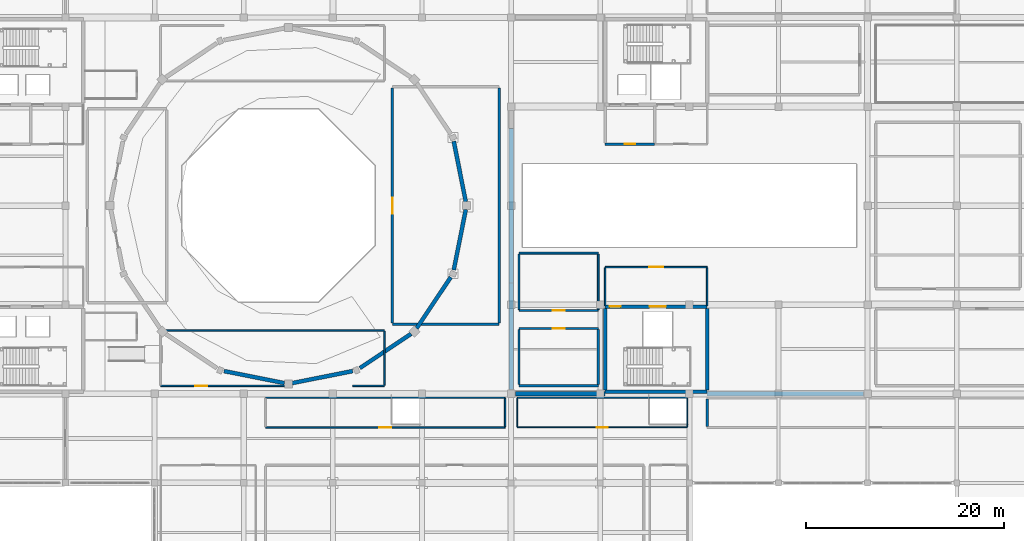
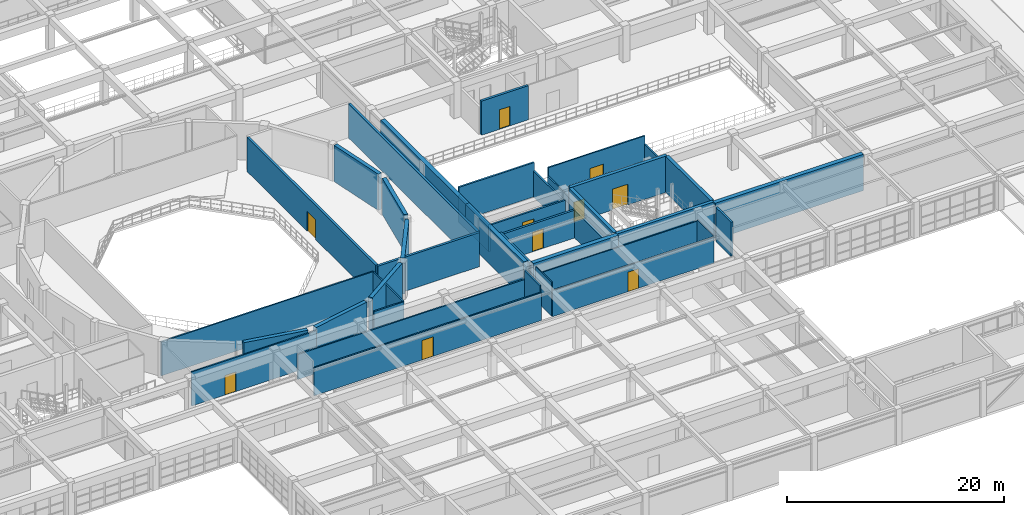
# One storey, part 111 of 130: 41 walls, 10 doors, 10 openings.
"""IFC4 building model written with IfcOpenShell, lengths in metres."""

from ifc_helpers import new_model, si_unit, direction, frame, frame_2d, origin, place, context, subcontext, project, spatial, rectangle, extrude, material, layer, layer_set, type_object, element, fill, save


model = new_model("IFC4")

# Units and contexts
model_context = context("Model", 3, precision=1e-05, world=origin(), true_north=direction((0.0, 1.0)))
body_context = subcontext(model_context, "Body", "Model", "MODEL_VIEW")
ifc_project = project(units=[si_unit("LENGTHUNIT", "METRE"), si_unit("AREAUNIT", "SQUARE_METRE"), si_unit("VOLUMEUNIT", "CUBIC_METRE"), si_unit("PLANEANGLEUNIT", "RADIAN"), si_unit("MASSUNIT", "GRAM", prefix="KILO")], contexts=[model_context])

# Site, building, storey
site_placement = place(None, origin())
site = spatial("IfcSite", under=ifc_project, at=site_placement, CompositionType="ELEMENT")
building_placement = place(site_placement, origin())
building = spatial("IfcBuilding", under=site, at=building_placement, Name="Miravela Opera House", CompositionType="ELEMENT")
storey_placement = place(building_placement, frame((0.0, 0.0, 9.52001953125)))
storey = spatial("IfcBuildingStorey", under=building, at=storey_placement, Name="L02", CompositionType="ELEMENT", Elevation=9.52001953125)

# Wall, opening, door
ifc_material_1 = material(Name="Double-layer acoustic gypsum partition")
ifc_layer_1 = layer(ifc_material_1, 0.110107421875)
ifc_layer_set_1 = layer_set([ifc_layer_1])
wall_type_1 = type_object("IfcWallType", Name="ARC-PT-110", PredefinedType="PARTITIONING", material=ifc_layer_set_1)
wall_1_placement = place(storey_placement, frame((99.60009765625, 33.60009765625, 0.0), z_axis=(0.0, 0.0, 1.0), x_axis=(1.0, 0.0, 0.0)))
wall_1 = element("IfcWall", 1, at=wall_1_placement, inside=storey, type_object=wall_type_1, Name="Operatic Diction and Language Studio Partition South", PredefinedType="PARTITIONING", context=body_context, shape_type="SweptSolid", body=[
    extrude(rectangle(XDim=17.199951171875, YDim=0.110107421875, at=frame_2d((8.60009765625, 0.0))), origin(), (0.0, 0.0, 1.0), 2.93994140625),
])
opening_1_placement = place(wall_1_placement, frame((8.050048828125, 0.0, 0.0)))
opening_1 = element("IfcOpeningElement", 2, at=opening_1_placement, cuts=wall_1, Name="Opening ID-03", PredefinedType="OPENING", context=body_context, shape_type="SweptSolid", body=[
    extrude(rectangle(XDim=1.10009765625, YDim=2.199951171875, at=frame_2d((0.550048828125, 1.10009765625))), frame((0.0, 0.06494140625, 0.0), z_axis=(0.0, -1.0, 0.0), x_axis=(1.0, 0.0, 0.0)), (0.0, 0.0, 1.0), 0.130126953125),
])
ifc_material_2 = material(Name="Acoustic hardwood studio door", Category="wood")
door_type_1 = type_object("IfcDoorType", Name="ARC-DR-1100X2200", OperationType="NOTDEFINED", PredefinedType="DOOR", material=ifc_material_2)
door_1_placement = place(opening_1_placement, frame((1.10009765625, 0.0, 0.0), z_axis=(0.0, 0.0, 1.0), x_axis=(-1.0, 0.0, 0.0)))
door_1 = element("IfcDoor", 3, at=door_1_placement, inside=storey, type_object=door_type_1, Name="Operatic Diction and Language Studio Entry Door IDR-L02-0255", OperationType="SINGLE_SWING_LEFT", OverallHeight=2.199951171875, OverallWidth=1.10009765625, PredefinedType="DOOR", context=body_context, shape_type="SweptSolid", body=[
    extrude(rectangle(XDim=1.10009765625, YDim=2.199951171875, at=frame_2d((0.550048828125, 1.10009765625))), frame((0.0, 0.02490234375, 0.0), z_axis=(0.0, -1.0, 0.0), x_axis=(1.0, 0.0, 0.0)), (0.0, 0.0, 1.0), 0.050048828125),
])
fill(opening_1, door_1)

# Walls
wall_2_placement = place(storey_placement, frame((99.60009765625, 36.60009765625, 0.0), z_axis=(0.0, 0.0, 1.0), x_axis=(1.0, 0.0, 0.0)))
element("IfcWall", 4, at=wall_2_placement, inside=storey, type_object=wall_type_1, Name="Operatic Diction and Language Studio Partition North", PredefinedType="PARTITIONING", context=body_context, shape_type="SweptSolid", body=[
    extrude(rectangle(XDim=17.199951171875, YDim=0.110107421875, at=frame_2d((8.60009765625, 0.0))), origin(), (0.0, 0.0, 1.0), 2.93994140625),
])
wall_3_placement = place(storey_placement, frame((99.60009765625, 33.655029296875, 0.0), z_axis=(0.0, 0.0, 1.0), x_axis=(0.0, 1.0, 0.0)))
element("IfcWall", 5, at=wall_3_placement, inside=storey, type_object=wall_type_1, Name="Operatic Diction and Language Studio Partition West", PredefinedType="PARTITIONING", context=body_context, shape_type="SweptSolid", body=[
    extrude(rectangle(XDim=2.889892578125, YDim=0.110107421875, at=frame_2d((1.44482421875, 0.0))), origin(), (0.0, 0.0, 1.0), 3.840087890625),
])
wall_4_placement = place(storey_placement, frame((116.800048828125, 33.655029296875, 0.0), z_axis=(0.0, 0.0, 1.0), x_axis=(0.0, 1.0, 0.0)))
element("IfcWall", 6, at=wall_4_placement, inside=storey, type_object=wall_type_1, Name="Operatic Diction and Language Studio Partition East", PredefinedType="PARTITIONING", context=body_context, shape_type="SweptSolid", body=[
    extrude(rectangle(XDim=2.889892578125, YDim=0.110107421875, at=frame_2d((1.44482421875, 0.0))), origin(), (0.0, 0.0, 1.0), 3.090087890625),
])

# Wall, opening, door
ifc_material_3 = material(Name="Studio double-stud acoustic partition")
ifc_layer_2 = layer(ifc_material_3, 0.14990234375)
ifc_layer_set_2 = layer_set([ifc_layer_2])
wall_type_2 = type_object("IfcWallType", Name="ARC-PT-145", PredefinedType="PARTITIONING", material=ifc_layer_set_2)
wall_5_placement = place(storey_placement, frame((108.5, 49.800048828125, 0.0), z_axis=(0.0, 0.0, 1.0), x_axis=(1.0, 0.0, 0.0)))
wall_5 = element("IfcWall", 7, at=wall_5_placement, inside=storey, type_object=wall_type_2, Name="Passenger Lift Lobby K4 L02 Partition North", PredefinedType="PARTITIONING", context=body_context, shape_type="SweptSolid", body=[
    extrude(rectangle(XDim=10.300048828125, YDim=0.14990234375, at=frame_2d((5.14990234375, 0.0))), origin(), (0.0, 0.0, 1.0), 3.840087890625),
])
opening_2_placement = place(wall_5_placement, frame((4.449951171875, 0.0, 0.0)))
opening_2 = element("IfcOpeningElement", 8, at=opening_2_placement, cuts=wall_5, Name="Opening FD-03", PredefinedType="OPENING", context=body_context, shape_type="SweptSolid", body=[
    extrude(rectangle(XDim=1.39990234375, YDim=2.199951171875, at=frame_2d((0.699951171875, 1.10009765625))), frame((0.0, 0.0849609375, 0.0), z_axis=(0.0, -1.0, 0.0), x_axis=(1.0, 0.0, 0.0)), (0.0, 0.0, 1.0), 0.169921875),
])
ifc_material_4 = material(Name="Fire-rated lobby/archive double door")
door_type_2 = type_object("IfcDoorType", Name="ARC-FD-1400X2200", OperationType="NOTDEFINED", PredefinedType="DOOR", material=ifc_material_4)
door_2_placement = place(opening_2_placement, origin())
door_2 = element("IfcDoor", 9, at=door_2_placement, inside=storey, type_object=door_type_2, Name="Passenger Lift Lobby K4 L02 Entry Door IDR-L02-0218", OperationType="DOUBLE_DOOR_SINGLE_SWING", OverallHeight=2.199951171875, OverallWidth=1.39990234375, PredefinedType="DOOR", context=body_context, shape_type="SweptSolid", body=[
    extrude(rectangle(XDim=1.39990234375, YDim=2.199951171875, at=frame_2d((0.699951171875, 1.10009765625))), frame((0.0, 0.02490234375, 0.0), z_axis=(0.0, -1.0, 0.0), x_axis=(1.0, 0.0, 0.0)), (0.0, 0.0, 1.0), 0.050048828125),
])
fill(opening_2, door_2)

# Walls
for number, where, z_axis, x_axis, name in (
    (10, (108.5, 45.875, 0.0), (0.0, 0.0, 1.0), (0.0, 1.0, 0.0), "Passenger Lift Lobby K4 L02 Partition West"),
    (11, (118.800048828125, 45.875, 0.0), (0.0, 0.0, 1.0), (0.0, 1.0, 0.0), "Passenger Lift Lobby K4 L02 Partition East"),
):
    element("IfcWall", number, at=place(storey_placement, frame(where, z_axis=z_axis, x_axis=x_axis)), inside=storey, type_object=wall_type_2, Name=name, PredefinedType="PARTITIONING", context=body_context, shape_type="SweptSolid", body=[
        extrude(rectangle(XDim=3.85009765625, YDim=0.14990234375, at=frame_2d((1.925048828125, 0.0))), origin(), (0.0, 0.0, 1.0), 2.919921875),
    ])

# Wall, opening, door
wall_6_placement = place(storey_placement, frame((63.60009765625, 37.800048828125, 0.0), z_axis=(0.0, 0.0, 1.0), x_axis=(1.0, 0.0, 0.0)))
wall_6 = element("IfcWall", 12, at=wall_6_placement, inside=storey, type_object=wall_type_2, Name="Visiting Chorus Dressing Rooms Partition South 1", PredefinedType="PARTITIONING", context=body_context, shape_type="SweptSolid", body=[
    extrude(rectangle(XDim=13.292236328125, YDim=0.14990234375, at=frame_2d((6.64599609375, 0.0))), origin(), (0.0, 0.0, 1.0), 3.840087890625),
])
opening_3_placement = place(wall_6_placement, frame((3.514404296875, 0.0, 0.0)))
opening_3 = element("IfcOpeningElement", 13, at=opening_3_placement, cuts=wall_6, Name="Opening ID-04", PredefinedType="OPENING", context=body_context, shape_type="SweptSolid", body=[
    extrude(rectangle(XDim=1.199951171875, YDim=2.199951171875, at=frame_2d((0.60009765625, 1.10009765625))), frame((0.0, 0.0849609375, 0.0), z_axis=(0.0, -1.0, 0.0), x_axis=(1.0, 0.0, 0.0)), (0.0, 0.0, 1.0), 0.169921875),
])
ifc_material_5 = material(Name="Wide acoustic ensemble door")
door_type_3 = type_object("IfcDoorType", Name="ARC-DR-1200X2200", OperationType="NOTDEFINED", PredefinedType="DOOR", material=ifc_material_5)
door_3_placement = place(opening_3_placement, frame((1.199951171875, 0.0, 0.0), z_axis=(0.0, 0.0, 1.0), x_axis=(-1.0, 0.0, 0.0)))
door_3 = element("IfcDoor", 14, at=door_3_placement, inside=storey, type_object=door_type_3, Name="Visiting Chorus Dressing Rooms Entry Door IDR-L02-0248", OperationType="SINGLE_SWING_RIGHT", OverallHeight=2.199951171875, OverallWidth=1.199951171875, PredefinedType="DOOR", context=body_context, shape_type="SweptSolid", body=[
    extrude(rectangle(XDim=1.199951171875, YDim=2.199951171875, at=frame_2d((0.60009765625, 1.10009765625))), frame((0.0, 0.02490234375, 0.0), z_axis=(0.0, -1.0, 0.0), x_axis=(1.0, 0.0, 0.0)), (0.0, 0.0, 1.0), 0.050048828125),
])
fill(opening_3, door_3)

# Walls
wall_7_placement = place(storey_placement, frame((82.99609375, 37.800048828125, 0.0), z_axis=(0.0, 0.0, 1.0), x_axis=(1.0, 0.0, 0.0)))
element("IfcWall", 15, at=wall_7_placement, inside=storey, type_object=wall_type_2, Name="Visiting Chorus Dressing Rooms Partition South 2", PredefinedType="PARTITIONING", context=body_context, shape_type="SweptSolid", body=[
    extrude(rectangle(XDim=3.203857421875, YDim=0.14990234375, at=frame_2d((1.60205078125, 0.0))), origin(), (0.0, 0.0, 1.0), 3.840087890625),
])
wall_8_placement = place(storey_placement, frame((63.60009765625, 43.39990234375, 0.0), z_axis=(0.0, 0.0, 1.0), x_axis=(1.0, 0.0, 0.0)))
element("IfcWall", 16, at=wall_8_placement, inside=storey, type_object=wall_type_2, Name="Visiting Chorus Dressing Rooms Partition North", PredefinedType="PARTITIONING", context=body_context, shape_type="SweptSolid", body=[
    extrude(rectangle(XDim=22.599853515625, YDim=0.14990234375, at=frame_2d((11.2998046875, 0.0))), origin(), (0.0, 0.0, 1.0), 3.840087890625),
])
wall_9_placement = place(storey_placement, frame((86.199951171875, 37.875, 0.0), z_axis=(0.0, 0.0, 1.0), x_axis=(0.0, 1.0, 0.0)))
element("IfcWall", 17, at=wall_9_placement, inside=storey, type_object=wall_type_2, Name="Visiting Chorus Dressing Rooms Partition East", PredefinedType="PARTITIONING", context=body_context, shape_type="SweptSolid", body=[
    extrude(rectangle(XDim=5.449951171875, YDim=0.14990234375, at=frame_2d((2.72509765625, 0.0))), origin(), (0.0, 0.0, 1.0), 3.840087890625),
])

# Wall, opening, door
wall_10_placement = place(storey_placement, frame((74.199951171875, 33.60009765625, 0.0), z_axis=(0.0, 0.0, 1.0), x_axis=(1.0, 0.0, 0.0)))
wall_10 = element("IfcWall", 18, at=wall_10_placement, inside=storey, type_object=wall_type_2, Name="Stage Scenery Restoration Archive Partition South", PredefinedType="PARTITIONING", context=body_context, shape_type="SweptSolid", body=[
    extrude(rectangle(XDim=24.199951171875, YDim=0.14990234375, at=frame_2d((12.10009765625, 0.0))), origin(), (0.0, 0.0, 1.0), 3.139892578125),
])
opening_4_placement = place(wall_10_placement, frame((11.5, 0.0, 0.0)))
opening_4 = element("IfcOpeningElement", 19, at=opening_4_placement, cuts=wall_10, Name="Opening ID-04", PredefinedType="OPENING", context=body_context, shape_type="SweptSolid", body=[
    extrude(rectangle(XDim=1.199951171875, YDim=2.199951171875, at=frame_2d((0.60009765625, 1.10009765625))), frame((0.0, 0.0849609375, 0.0), z_axis=(0.0, -1.0, 0.0), x_axis=(1.0, 0.0, 0.0)), (0.0, 0.0, 1.0), 0.169921875),
])
door_4_placement = place(opening_4_placement, frame((1.199951171875, 0.0, 0.0), z_axis=(0.0, 0.0, 1.0), x_axis=(-1.0, 0.0, 0.0)))
door_4 = element("IfcDoor", 20, at=door_4_placement, inside=storey, type_object=door_type_3, Name="Stage Scenery Restoration Archive Entry Door IDR-L02-0257", OperationType="SINGLE_SWING_LEFT", OverallHeight=2.199951171875, OverallWidth=1.199951171875, PredefinedType="DOOR", context=body_context, shape_type="SweptSolid", body=[
    extrude(rectangle(XDim=1.199951171875, YDim=2.199951171875, at=frame_2d((0.60009765625, 1.10009765625))), frame((0.0, 0.02490234375, 0.0), z_axis=(0.0, -1.0, 0.0), x_axis=(1.0, 0.0, 0.0)), (0.0, 0.0, 1.0), 0.050048828125),
])
fill(opening_4, door_4)

# Walls
wall_11_placement = place(storey_placement, frame((74.199951171875, 36.60009765625, 0.0), z_axis=(0.0, 0.0, 1.0), x_axis=(1.0, 0.0, 0.0)))
element("IfcWall", 21, at=wall_11_placement, inside=storey, type_object=wall_type_2, Name="Stage Scenery Restoration Archive Partition North", PredefinedType="PARTITIONING", context=body_context, shape_type="SweptSolid", body=[
    extrude(rectangle(XDim=24.199951171875, YDim=0.14990234375, at=frame_2d((12.10009765625, 0.0))), origin(), (0.0, 0.0, 1.0), 2.820068359375),
])
wall_12_placement = place(storey_placement, frame((98.39990234375, 33.675048828125, 0.0), z_axis=(0.0, 0.0, 1.0), x_axis=(0.0, 1.0, 0.0)))
element("IfcWall", 22, at=wall_12_placement, inside=storey, type_object=wall_type_2, Name="Stage Scenery Restoration Archive Partition East", PredefinedType="PARTITIONING", context=body_context, shape_type="SweptSolid", body=[
    extrude(rectangle(XDim=2.849853515625, YDim=0.14990234375, at=frame_2d((1.4248046875, 0.0))), origin(), (0.0, 0.0, 1.0), 3.840087890625),
])

# Wall, opening, door
ifc_material_6 = material(Name="Corridor fire-resisting masonry partition", Category="masonry")
ifc_layer_3 = layer(ifc_material_6, 0.18994140625)
ifc_layer_set_3 = layer_set([ifc_layer_3])
wall_type_3 = type_object("IfcWallType", Name="ARC-PT-190", PredefinedType="PARTITIONING", material=ifc_layer_set_3)
wall_13_placement = place(storey_placement, frame((99.800048828125, 45.39990234375, 0.0), z_axis=(0.0, 0.0, 1.0), x_axis=(1.0, 0.0, 0.0)))
wall_13 = element("IfcWall", 23, at=wall_13_placement, inside=storey, type_object=wall_type_3, Name="Scenic Backdrop Conservation Studio Partition South", PredefinedType="PARTITIONING", context=body_context, shape_type="SweptSolid", body=[
    extrude(rectangle(XDim=8.0, YDim=0.18994140625, at=frame_2d((4.0, 0.0))), origin(), (0.0, 0.0, 1.0), 3.119873046875),
])
opening_5_placement = place(wall_13_placement, frame((3.39990234375, 0.0, 0.0)))
opening_5 = element("IfcOpeningElement", 24, at=opening_5_placement, cuts=wall_13, Name="Opening ID-04", PredefinedType="OPENING", context=body_context, shape_type="SweptSolid", body=[
    extrude(rectangle(XDim=1.199951171875, YDim=2.199951171875, at=frame_2d((0.60009765625, 1.10009765625))), frame((0.0, 0.10498046875, 0.0), z_axis=(0.0, -1.0, 0.0), x_axis=(1.0, 0.0, 0.0)), (0.0, 0.0, 1.0), 0.2099609375),
])
door_5_placement = place(opening_5_placement, frame((1.199951171875, 0.0, 0.0), z_axis=(0.0, 0.0, 1.0), x_axis=(-1.0, 0.0, 0.0)))
door_5 = element("IfcDoor", 25, at=door_5_placement, inside=storey, type_object=door_type_3, Name="Scenic Backdrop Conservation Studio Entry Door IDR-L02-0259", OperationType="SINGLE_SWING_LEFT", OverallHeight=2.199951171875, OverallWidth=1.199951171875, PredefinedType="DOOR", context=body_context, shape_type="SweptSolid", body=[
    extrude(rectangle(XDim=1.199951171875, YDim=2.199951171875, at=frame_2d((0.60009765625, 1.10009765625))), frame((0.0, 0.02490234375, 0.0), z_axis=(0.0, -1.0, 0.0), x_axis=(1.0, 0.0, 0.0)), (0.0, 0.0, 1.0), 0.050048828125),
])
fill(opening_5, door_5)

# Walls
wall_14_placement = place(storey_placement, frame((99.800048828125, 51.199951171875, 0.0), z_axis=(0.0, 0.0, 1.0), x_axis=(1.0, 0.0, 0.0)))
element("IfcWall", 26, at=wall_14_placement, inside=storey, type_object=wall_type_3, Name="Scenic Backdrop Conservation Studio Partition North", PredefinedType="PARTITIONING", context=body_context, shape_type="SweptSolid", body=[
    extrude(rectangle(XDim=8.0, YDim=0.18994140625, at=frame_2d((4.0, 0.0))), origin(), (0.0, 0.0, 1.0), 3.840087890625),
])
wall_15_placement = place(storey_placement, frame((99.800048828125, 45.4951171875, 0.0), z_axis=(0.0, 0.0, 1.0), x_axis=(0.0, 1.0, 0.0)))
element("IfcWall", 27, at=wall_15_placement, inside=storey, type_object=wall_type_3, Name="Scenic Backdrop Conservation Studio Partition West", PredefinedType="PARTITIONING", context=body_context, shape_type="SweptSolid", body=[
    extrude(rectangle(XDim=5.60986328125, YDim=0.18994140625, at=frame_2d((2.804931640625, 0.0))), origin(), (0.0, 0.0, 1.0), 3.070068359375),
])
wall_16_placement = place(storey_placement, frame((107.800048828125, 45.4951171875, 0.0), z_axis=(0.0, 0.0, 1.0), x_axis=(0.0, 1.0, 0.0)))
element("IfcWall", 28, at=wall_16_placement, inside=storey, type_object=wall_type_3, Name="Scenic Backdrop Conservation Studio Partition East", PredefinedType="PARTITIONING", context=body_context, shape_type="SweptSolid", body=[
    extrude(rectangle(XDim=5.60986328125, YDim=0.18994140625, at=frame_2d((2.804931640625, 0.0))), origin(), (0.0, 0.0, 1.0), 2.919921875),
])
ifc_material_7 = material(Name="High-STC auditorium lobby partition")
ifc_layer_4 = layer(ifc_material_7, 0.22998046875)
ifc_layer_set_4 = layer_set([ifc_layer_4])
wall_type_4 = type_object("IfcWallType", Name="ARC-PT-205", PredefinedType="PARTITIONING", material=ifc_layer_set_4)
wall_17_placement = place(storey_placement, frame((99.800048828125, 37.800048828125, 0.0), z_axis=(0.0, 0.0, 1.0), x_axis=(1.0, 0.0, 0.0)))
element("IfcWall", 29, at=wall_17_placement, inside=storey, type_object=wall_type_4, Name="South Stage Fly Cueing Studio Partition South", PredefinedType="PARTITIONING", context=body_context, shape_type="SweptSolid", body=[
    extrude(rectangle(XDim=8.0, YDim=0.22998046875, at=frame_2d((4.0, 0.0))), origin(), (0.0, 0.0, 1.0), 3.119873046875),
])

# Wall, opening, door
wall_18_placement = place(storey_placement, frame((99.800048828125, 43.60009765625, 0.0), z_axis=(0.0, 0.0, 1.0), x_axis=(1.0, 0.0, 0.0)))
wall_18 = element("IfcWall", 30, at=wall_18_placement, inside=storey, type_object=wall_type_4, Name="South Stage Fly Cueing Studio Partition North", PredefinedType="PARTITIONING", context=body_context, shape_type="SweptSolid", body=[
    extrude(rectangle(XDim=8.0, YDim=0.22998046875, at=frame_2d((4.0, 0.0))), origin(), (0.0, 0.0, 1.0), 3.119873046875),
])
opening_6_placement = place(wall_18_placement, frame((3.39990234375, 0.0, 0.0)))
opening_6 = element("IfcOpeningElement", 31, at=opening_6_placement, cuts=wall_18, Name="Opening FD-02", PredefinedType="OPENING", context=body_context, shape_type="SweptSolid", body=[
    extrude(rectangle(XDim=1.199951171875, YDim=2.199951171875, at=frame_2d((0.60009765625, 1.10009765625))), frame((0.0, 0.125, 0.0), z_axis=(0.0, -1.0, 0.0), x_axis=(1.0, 0.0, 0.0)), (0.0, 0.0, 1.0), 0.25),
])
ifc_material_8 = material(Name="Fire-rated gallery/plant exit door")
door_type_4 = type_object("IfcDoorType", Name="ARC-FD-1200X2200", OperationType="NOTDEFINED", PredefinedType="DOOR", material=ifc_material_8)
door_6_placement = place(opening_6_placement, frame((1.199951171875, 0.0, 0.0), z_axis=(0.0, 0.0, 1.0), x_axis=(-1.0, 0.0, 0.0)))
door_6 = element("IfcDoor", 32, at=door_6_placement, inside=storey, type_object=door_type_4, Name="South Stage Fly Cueing Studio Entry Door IDR-L02-0243", OperationType="SINGLE_SWING_RIGHT", OverallHeight=2.199951171875, OverallWidth=1.199951171875, PredefinedType="DOOR", context=body_context, shape_type="SweptSolid", body=[
    extrude(rectangle(XDim=1.199951171875, YDim=2.199951171875, at=frame_2d((0.60009765625, 1.10009765625))), frame((0.0, 0.02490234375, 0.0), z_axis=(0.0, -1.0, 0.0), x_axis=(1.0, 0.0, 0.0)), (0.0, 0.0, 1.0), 0.050048828125),
])
fill(opening_6, door_6)

# Walls
wall_19_placement = place(storey_placement, frame((99.800048828125, 37.9150390625, 0.0), z_axis=(0.0, 0.0, 1.0), x_axis=(0.0, 1.0, 0.0)))
element("IfcWall", 33, at=wall_19_placement, inside=storey, type_object=wall_type_4, Name="South Stage Fly Cueing Studio Partition West", PredefinedType="PARTITIONING", context=body_context, shape_type="SweptSolid", body=[
    extrude(rectangle(XDim=5.570068359375, YDim=0.22998046875, at=frame_2d((2.78515625, 0.0))), origin(), (0.0, 0.0, 1.0), 3.4130859375),
])
wall_20_placement = place(storey_placement, frame((107.800048828125, 37.9150390625, 0.0), z_axis=(0.0, 0.0, 1.0), x_axis=(0.0, 1.0, 0.0)))
element("IfcWall", 34, at=wall_20_placement, inside=storey, type_object=wall_type_4, Name="South Stage Fly Cueing Studio Partition East", PredefinedType="PARTITIONING", context=body_context, shape_type="SweptSolid", body=[
    extrude(rectangle(XDim=5.570068359375, YDim=0.22998046875, at=frame_2d((2.78515625, 0.0))), origin(), (0.0, 0.0, 1.0), 3.119873046875),
])
ifc_material_9 = material(Name="Workshop fire-resisting block partition")
ifc_layer_5 = layer(ifc_material_9, 0.2099609375)
ifc_layer_set_5 = layer_set([ifc_layer_5])
wall_type_5 = type_object("IfcWallType", Name="ARC-PT-210", PredefinedType="PARTITIONING", material=ifc_layer_set_5)
wall_21_placement = place(storey_placement, frame((118.800048828125, 33.705078125, 0.0), z_axis=(0.0, 0.0, 1.0), x_axis=(0.0, 1.0, 0.0)))
element("IfcWall", 35, at=wall_21_placement, inside=storey, type_object=wall_type_5, Name="Youth Chorus Dressing Suite Partition West", PredefinedType="PARTITIONING", context=body_context, shape_type="SweptSolid", body=[
    extrude(rectangle(XDim=2.7900390625, YDim=0.2099609375, at=frame_2d((1.39501953125, 0.0))), origin(), (0.0, 0.0, 1.0), 3.840087890625),
])

# Wall, opening, door
ifc_material_10 = material(Name="Firefighting lobby compartment wall")
ifc_layer_6 = layer(ifc_material_10, 0.25)
ifc_layer_set_6 = layer_set([ifc_layer_6])
wall_type_6 = type_object("IfcWallType", Name="ARC-PT-220", PredefinedType="PARTITIONING", material=ifc_layer_set_6)
wall_22_placement = place(storey_placement, frame((108.5, 62.199951171875, 0.0), z_axis=(0.0, 0.0, 1.0), x_axis=(1.0, 0.0, 0.0)))
wall_22 = element("IfcWall", 36, at=wall_22_placement, inside=storey, type_object=wall_type_6, Name="Firefighting Lobby K3 L02 Partition South", PredefinedType="PARTITIONING", context=body_context, shape_type="SweptSolid", body=[
    extrude(rectangle(XDim=5.0, YDim=0.25, at=frame_2d((2.5, 0.0))), origin(), (0.0, 0.0, 1.0), 3.840087890625),
])
opening_7_placement = place(wall_22_placement, frame((1.949951171875, 0.0, 0.0)))
opening_7 = element("IfcOpeningElement", 37, at=opening_7_placement, cuts=wall_22, Name="Opening FD-01", PredefinedType="OPENING", context=body_context, shape_type="SweptSolid", body=[
    extrude(rectangle(XDim=1.10009765625, YDim=2.199951171875, at=frame_2d((0.550048828125, 1.10009765625))), frame((0.0, 0.135009765625, 0.0), z_axis=(0.0, -1.0, 0.0), x_axis=(1.0, 0.0, 0.0)), (0.0, 0.0, 1.0), 0.27001953125),
])
ifc_material_11 = material(Name="Fire-rated steel/hardwood exit stair door", Category="steel")
door_type_5 = type_object("IfcDoorType", Name="ARC-FD-1100X2200", OperationType="NOTDEFINED", PredefinedType="DOOR", material=ifc_material_11)
door_7_placement = place(opening_7_placement, frame((1.10009765625, 0.0, 0.0), z_axis=(0.0, 0.0, 1.0), x_axis=(-1.0, 0.0, 0.0)))
door_7 = element("IfcDoor", 38, at=door_7_placement, inside=storey, type_object=door_type_5, Name="Firefighting Lobby K3 L02 Entry Door IDR-L02-0216", OperationType="SINGLE_SWING_RIGHT", OverallHeight=2.199951171875, OverallWidth=1.10009765625, PredefinedType="DOOR", context=body_context, shape_type="SweptSolid", body=[
    extrude(rectangle(XDim=1.10009765625, YDim=2.199951171875, at=frame_2d((0.550048828125, 1.10009765625))), frame((0.0, 0.02490234375, 0.0), z_axis=(0.0, -1.0, 0.0), x_axis=(1.0, 0.0, 0.0)), (0.0, 0.0, 1.0), 0.050048828125),
])
fill(opening_7, door_7)

# Wall
wall_23_placement = place(storey_placement, frame((87.0, 44.0, 0.0), z_axis=(0.0, 0.0, 1.0), x_axis=(1.0, 0.0, 0.0)))
element("IfcWall", 39, at=wall_23_placement, inside=storey, type_object=wall_type_6, Name="Opera Auditorium Dress Circle Partition South", PredefinedType="PARTITIONING", context=body_context, shape_type="SweptSolid", body=[
    extrude(rectangle(XDim=10.800048828125, YDim=0.25, at=frame_2d((5.39990234375, 0.0))), origin(), (0.0, 0.0, 1.0), 3.840087890625),
])

# Wall, opening, door
wall_24_placement = place(storey_placement, frame((87.0, 44.125, 0.0), z_axis=(0.0, 0.0, 1.0), x_axis=(0.0, 1.0, 0.0)))
wall_24 = element("IfcWall", 40, at=wall_24_placement, inside=storey, type_object=wall_type_6, Name="Opera Auditorium Dress Circle Partition West", PredefinedType="PARTITIONING", context=body_context, shape_type="SweptSolid", body=[
    extrude(rectangle(XDim=23.75, YDim=0.25, at=frame_2d((11.875, 0.0))), origin(), (0.0, 0.0, 1.0), 3.840087890625),
])
opening_8_placement = place(wall_24_placement, frame((11.074951171875, 0.0, 0.0)))
opening_8 = element("IfcOpeningElement", 41, at=opening_8_placement, cuts=wall_24, Name="Opening FD-04", PredefinedType="OPENING", context=body_context, shape_type="SweptSolid", body=[
    extrude(rectangle(XDim=1.60009765625, YDim=2.25, at=frame_2d((0.800048828125, 1.125))), frame((0.0, 0.135009765625, 0.0), z_axis=(0.0, -1.0, 0.0), x_axis=(1.0, 0.0, 0.0)), (0.0, 0.0, 1.0), 0.27001953125),
])
ifc_material_12 = material(Name="Fire-rated rehearsal/vomitory double door")
door_type_6 = type_object("IfcDoorType", Name="ARC-FD-1600X2250", OperationType="NOTDEFINED", PredefinedType="DOOR", material=ifc_material_12)
door_8_placement = place(opening_8_placement, origin())
door_8 = element("IfcDoor", 42, at=door_8_placement, inside=storey, type_object=door_type_6, Name="Opera Auditorium Dress Circle Entry Door IDR-L02-0226", OperationType="DOUBLE_DOOR_SINGLE_SWING", OverallHeight=2.25, OverallWidth=1.60009765625, PredefinedType="DOOR", context=body_context, shape_type="SweptSolid", body=[
    extrude(rectangle(XDim=1.60009765625, YDim=2.25, at=frame_2d((0.800048828125, 1.125))), frame((0.0, 0.02490234375, 0.0), z_axis=(0.0, -1.0, 0.0), x_axis=(1.0, 0.0, 0.0)), (0.0, 0.0, 1.0), 0.050048828125),
])
fill(opening_8, door_8)

# Walls
wall_25_placement = place(storey_placement, frame((97.800048828125, 44.125, 0.0), z_axis=(0.0, 0.0, 1.0), x_axis=(0.0, 1.0, 0.0)))
element("IfcWall", 43, at=wall_25_placement, inside=storey, type_object=wall_type_6, Name="Opera Auditorium Dress Circle Partition East", PredefinedType="PARTITIONING", context=body_context, shape_type="SweptSolid", body=[
    extrude(rectangle(XDim=23.75, YDim=0.25, at=frame_2d((11.875, 0.0))), origin(), (0.0, 0.0, 1.0), 3.840087890625),
])
ifc_material_13 = material(Name="Concrete C40/50", Category="concrete")
ifc_layer_7 = layer(ifc_material_13, 0.35009765625)
ifc_layer_set_7 = layer_set([ifc_layer_7])
wall_type_7 = type_object("IfcWallType", Name="STR-WALL-CORE-350", PredefinedType="SHEAR", material=ifc_layer_set_7)
wall_26_placement = place(storey_placement, frame((108.5, 37.199951171875, 0.0), z_axis=(0.0, 0.0, 1.0), x_axis=(1.0, 0.0, 0.0)))
element("IfcWall", 44, at=wall_26_placement, inside=storey, type_object=wall_type_7, Name="Core K4 Shear Wall South (L02)", PredefinedType="SHEAR", context=body_context, shape_type="SweptSolid", body=[
    extrude(rectangle(XDim=10.300048828125, YDim=0.35009765625, at=frame_2d((5.14990234375, 0.0))), origin(), (0.0, 0.0, 1.0), 4.080078125),
])

# Wall, openings, doors
wall_27_placement = place(storey_placement, frame((108.5, 45.800048828125, 0.0), z_axis=(0.0, 0.0, 1.0), x_axis=(1.0, 0.0, 0.0)))
wall_27 = element("IfcWall", 45, at=wall_27_placement, inside=storey, type_object=wall_type_7, Name="Core K4 Shear Wall North (L02)", PredefinedType="SHEAR", context=body_context, shape_type="SweptSolid", body=[
    extrude(rectangle(XDim=10.300048828125, YDim=0.35009765625, at=frame_2d((5.14990234375, 0.0))), origin(), (0.0, 0.0, 1.0), 4.080078125),
])
opening_9_placement = place(wall_27_placement, frame((0.449951171875, 0.0, 0.0)))
opening_9 = element("IfcOpeningElement", 46, at=opening_9_placement, cuts=wall_27, Name="Opening FD-01", PredefinedType="OPENING", context=body_context, shape_type="SweptSolid", body=[
    extrude(rectangle(XDim=1.10009765625, YDim=2.199951171875, at=frame_2d((0.550048828125, 1.10009765625))), frame((0.0, 0.18505859375, 0.0), z_axis=(0.0, -1.0, 0.0), x_axis=(1.0, 0.0, 0.0)), (0.0, 0.0, 1.0), 0.3701171875),
])
opening_10_placement = place(wall_27_placement, frame((4.47509765625, 0.0, 0.0)))
opening_10 = element("IfcOpeningElement", 47, at=opening_10_placement, cuts=wall_27, Name="Opening LD-03", PredefinedType="OPENING", context=body_context, shape_type="SweptSolid", body=[
    extrude(rectangle(XDim=1.64990234375, YDim=2.340087890625, at=frame_2d((0.824951171875, 1.169921875))), frame((0.0, 0.18505859375, 0.0), z_axis=(0.0, -1.0, 0.0), x_axis=(1.0, 0.0, 0.0)), (0.0, 0.0, 1.0), 0.3701171875),
])
door_9_placement = place(opening_9_placement, frame((1.10009765625, 0.0, 0.0), z_axis=(0.0, 0.0, 1.0), x_axis=(-1.0, 0.0, 0.0)))
door_9 = element("IfcDoor", 48, at=door_9_placement, inside=storey, type_object=door_type_5, Name="Exit Stair ST-04 Rated Door (L02) IDR-L02-0026", OperationType="SINGLE_SWING_RIGHT", OverallHeight=2.199951171875, OverallWidth=1.10009765625, PredefinedType="DOOR", context=body_context, shape_type="SweptSolid", body=[
    extrude(rectangle(XDim=1.10009765625, YDim=2.199951171875, at=frame_2d((0.550048828125, 1.10009765625))), frame((0.0, 0.02490234375, 0.0), z_axis=(0.0, -1.0, 0.0), x_axis=(1.0, 0.0, 0.0)), (0.0, 0.0, 1.0), 0.050048828125),
])
fill(opening_9, door_9)
ifc_material_14 = material(Name="Brushed stainless and bronze fire-rated lift landing door")
door_type_7 = type_object("IfcDoorType", Name="ARC-LD-FRT-1650X2350", OperationType="SLIDING_TO_LEFT", PredefinedType="DOOR", material=ifc_material_14)
door_10_placement = place(opening_10_placement, origin())
door_10 = element("IfcDoor", 49, at=door_10_placement, inside=storey, type_object=door_type_7, Name="Lift Landing Door FL-02 (L02)", OperationType="SLIDING_TO_LEFT", OverallHeight=2.340087890625, OverallWidth=1.64990234375, PredefinedType="DOOR", context=body_context, shape_type="SweptSolid", body=[
    extrude(rectangle(XDim=1.64990234375, YDim=2.340087890625, at=frame_2d((0.824951171875, 1.169921875))), frame((0.0, 0.02490234375, 0.0), z_axis=(0.0, -1.0, 0.0), x_axis=(1.0, 0.0, 0.0)), (0.0, 0.0, 1.0), 0.050048828125),
])
fill(opening_10, door_10)

# Walls
for number, where, z_axis, x_axis, name in (
    (50, (108.5, 37.375, 0.0), (0.0, 0.0, 1.0), (0.0, 1.0, 0.0), "Core K4 Shear Wall West (L02)"),
    (51, (118.800048828125, 37.375, 0.0), (0.0, 0.0, 1.0), (0.0, 1.0, 0.0), "Core K4 Shear Wall East (L02)"),
):
    element("IfcWall", number, at=place(storey_placement, frame(where, z_axis=z_axis, x_axis=x_axis)), inside=storey, type_object=wall_type_7, Name=name, PredefinedType="SHEAR", context=body_context, shape_type="SweptSolid", body=[
        extrude(rectangle(XDim=8.25, YDim=0.35009765625, at=frame_2d((4.125, 0.0))), origin(), (0.0, 0.0, 1.0), 4.080078125),
    ])
ifc_layer_8 = layer(ifc_material_13, 0.39990234375)
ifc_layer_set_8 = layer_set([ifc_layer_8])
wall_type_8 = type_object("IfcWallType", Name="STR-WALL-DRUM-400", PredefinedType="SHEAR", material=ifc_layer_set_8)
for number, where, z_axis, x_axis, name in (
    (52, (94.422119140625, 56.392333984375, 0.0), (0.0, 0.0, 1.0), (-0.195127752786, 0.980777834218, 0.0), "Auditorium Drum Shear Wall L02 Seg 1"),
    (53, (70.00390625, 39.292236328125, 0.0), (0.0, 0.0, 1.0), (0.980777834218, -0.195127752786, 0.0), "Auditorium Drum Shear Wall L02 Seg 12"),
    (54, (76.892333984375, 38.077880859375, 0.0), (0.0, 0.0, 1.0), (0.980777834218, 0.195127752786, 0.0), "Auditorium Drum Shear Wall L02 Seg 13"),
):
    element("IfcWall", number, at=place(storey_placement, frame(where, z_axis=z_axis, x_axis=x_axis)), inside=storey, type_object=wall_type_8, Name=name, PredefinedType="SHEAR", context=body_context, shape_type="SweptSolid", body=[
        extrude(rectangle(XDim=6.223388671875, YDim=0.39990234375, at=frame_2d((3.11181640625, 0.0))), origin(), (0.0, 0.0, 1.0), 4.080078125),
    ])
for number, where, z_axis, x_axis, name in (
    (55, (83.720947265625, 39.59228515625, 0.0), (0.0, 0.0, 1.0), (0.831458341015, 0.555587101324, 0.0), "Auditorium Drum Shear Wall L02 Seg 14"),
    (56, (89.4501953125, 43.604736328125, 0.0), (0.0, 0.0, 1.0), (0.555587101324, 0.831458341015, 0.0), "Auditorium Drum Shear Wall L02 Seg 15"),
):
    element("IfcWall", number, at=place(storey_placement, frame(where, z_axis=z_axis, x_axis=x_axis)), inside=storey, type_object=wall_type_8, Name=name, PredefinedType="SHEAR", context=body_context, shape_type="SweptSolid", body=[
        extrude(rectangle(XDim=6.22314453125, YDim=0.39990234375, at=frame_2d((3.111572265625, 0.0))), origin(), (0.0, 0.0, 1.0), 4.080078125),
    ])
wall_28_placement = place(storey_placement, frame((93.207763671875, 49.50390625, 0.0), z_axis=(0.0, 0.0, 1.0), x_axis=(0.195127752786, 0.980777834218, 0.0)))
element("IfcWall", 57, at=wall_28_placement, inside=storey, type_object=wall_type_8, Name="Auditorium Drum Shear Wall L02 Seg 16", PredefinedType="SHEAR", context=body_context, shape_type="SweptSolid", body=[
    extrude(rectangle(XDim=6.223388671875, YDim=0.39990234375, at=frame_2d((3.11181640625, 0.0))), origin(), (0.0, 0.0, 1.0), 4.080078125),
])
ifc_layer_9 = layer(ifc_material_13, 0.449951171875)
ifc_layer_set_9 = layer_set([ifc_layer_9])
wall_type_9 = type_object("IfcWallType", Name="STR-WALL-PROSC-450", PredefinedType="SHEAR", material=ifc_layer_set_9)
wall_29_placement = place(storey_placement, frame((99.0, 37.449951171875, 0.0), z_axis=(0.0, 0.0, 1.0), x_axis=(0.0, 1.0, 0.0)))
element("IfcWall", 58, at=wall_29_placement, inside=storey, type_object=wall_type_9, Name="Proscenium Shear Wall South (L02)", PredefinedType="SHEAR", context=body_context, shape_type="SweptSolid", body=[
    extrude(rectangle(XDim=10.75, YDim=0.449951171875, at=frame_2d((5.375, 0.0))), origin(), (0.0, 0.0, 1.0), 4.080078125),
])
wall_30_placement = place(storey_placement, frame((99.0, 48.199951171875, 0.0), z_axis=(0.0, 0.0, 1.0), x_axis=(0.0, 1.0, 0.0)))
element("IfcWall", 59, at=wall_30_placement, inside=storey, type_object=wall_type_9, Name="Proscenium Header Shear Wall (L02)", PredefinedType="SHEAR", context=body_context, shape_type="SweptSolid", body=[
    extrude(rectangle(XDim=15.60009765625, YDim=0.449951171875, at=frame_2d((7.800048828125, 0.0))), origin(), (0.0, 0.0, 1.0), 4.080078125),
])
wall_31_placement = place(storey_placement, frame((99.425048828125, 37.0, 0.0), z_axis=(0.0, 0.0, 1.0), x_axis=(1.0, 0.0, 0.0)))
element("IfcWall", 60, at=wall_31_placement, inside=storey, type_object=wall_type_9, Name="Stage House South Shear Wall W (L02)", PredefinedType="SHEAR", context=body_context, shape_type="SweptSolid", body=[
    extrude(rectangle(XDim=9.074951171875, YDim=0.449951171875, at=frame_2d((4.53759765625, 0.0))), origin(), (0.0, 0.0, 1.0), 4.080078125),
])
wall_32_placement = place(storey_placement, frame((118.800048828125, 37.0, 0.0), z_axis=(0.0, 0.0, 1.0), x_axis=(1.0, 0.0, 0.0)))
element("IfcWall", 61, at=wall_32_placement, inside=storey, type_object=wall_type_9, Name="Stage House South Shear Wall E (L02)", PredefinedType="SHEAR", context=body_context, shape_type="SweptSolid", body=[
    extrude(rectangle(XDim=15.77490234375, YDim=0.449951171875, at=frame_2d((7.887451171875, 0.0))), origin(), (0.0, 0.0, 1.0), 4.080078125),
])

save(model, "model.ifc")
